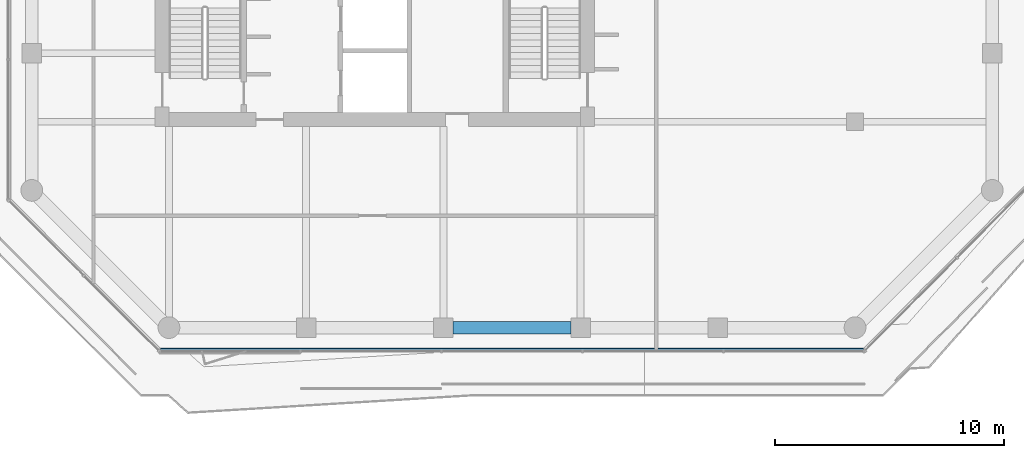
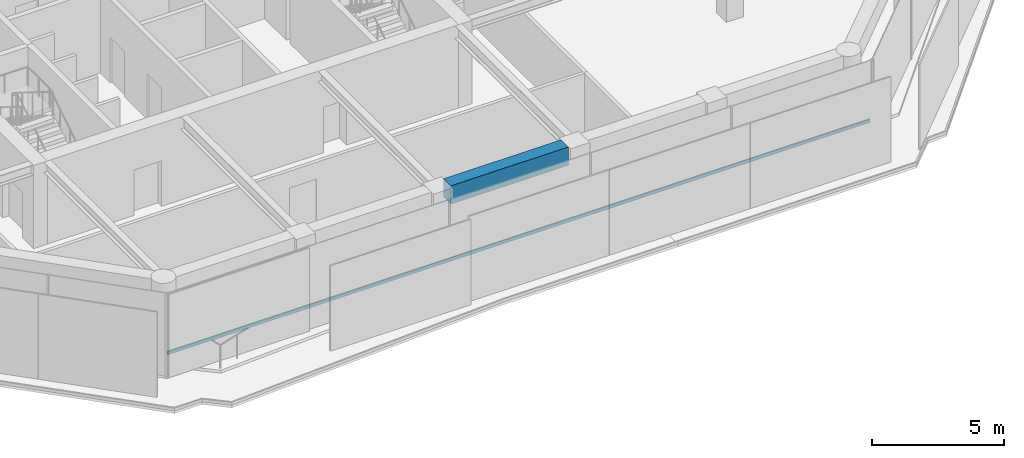
# One storey, part 3 of 21: 1 beam, 1 member, 1 element without a shape of its own.
"""IFC4 building model written with IfcOpenShell, lengths in metres."""

from ifc_helpers import new_model, si_unit, direction, frame, origin, origin_2d, place, context, subcontext, project, spatial, rectangle, extrude, material, layer, layer_set, material_profile, profile_set, type_object, element, aggregate, save


model = new_model("IFC4")

# Units and contexts
model_context = context("Model", 3, precision=1e-05, world=origin(), true_north=direction((0.0, 1.0)))
body_context = subcontext(model_context, "Body", "Model", "MODEL_VIEW")
ifc_project = project(units=[si_unit("LENGTHUNIT", "METRE"), si_unit("AREAUNIT", "SQUARE_METRE"), si_unit("VOLUMEUNIT", "CUBIC_METRE"), si_unit("PLANEANGLEUNIT", "RADIAN"), si_unit("MASSUNIT", "GRAM", prefix="KILO")], contexts=[model_context])

# Site, building, storey
site_placement = place(None, origin())
site = spatial("IfcSite", under=ifc_project, at=site_placement, CompositionType="ELEMENT")
building_placement = place(site_placement, origin())
building = spatial("IfcBuilding", under=site, at=building_placement, Name="Welwitschia Terrace Campus", CompositionType="ELEMENT")
storey_placement = place(building_placement, frame((0.0, 0.0, 184.39990234375)))
storey = spatial("IfcBuildingStorey", under=building, at=storey_placement, Name="L41", CompositionType="ELEMENT", Elevation=184.39990234375)

# Beam
ifc_material_1 = material(Name="Concrete C50/60", Category="concrete")
ifc_material_profile_1 = material_profile(ifc_material_1, rectangle(XDim=0.550048828125, YDim=0.85009765625, at=origin_2d()))
ifc_profile_set_1 = profile_set([ifc_material_profile_1], Name="Concrete C50/60")
beam_type = type_object("IfcBeamType", Name="Ring spandrel 550x850", PredefinedType="SPANDREL", material=ifc_profile_set_1)
beam_placement = place(storey_placement, frame((18.425537109375, -4.0, 3.425048828125), z_axis=(1.0, 0.0, 0.0), x_axis=(0.0, 1.0, 0.0)))
element("IfcBeam", 1, at=beam_placement, inside=storey, type_object=beam_type, Name="Spandrel SP3", PredefinedType="SPANDREL", context=body_context, shape_type="SweptSolid", body=[
    extrude(rectangle(XDim=0.550048828125, YDim=0.85009765625, at=origin_2d()), origin(), (0.0, 0.0, 1.0), 5.14892578125),
])

# Curtain wall, member
ifc_material_2 = material(Name="Bronze anodised aluminium", Category="aluminium")
ifc_layer = layer(ifc_material_2, 0.1201171875)
ifc_layer_set = layer_set([ifc_layer], Name="Bronze anodised aluminium")
curtain_wall_type = type_object("IfcCurtainWallType", Name="Curtain wall CW2 tower 6000", PredefinedType="NOTDEFINED", material=ifc_layer_set)
curtain_wall_placement = place(storey_placement, origin())
curtain_wall = element("IfcCurtainWall", 2, at=curtain_wall_placement, inside=storey, type_object=curtain_wall_type, Name="CW L41.1.0", PredefinedType="NOTDEFINED")
ifc_material_3 = material(Name="Bronze anodised aluminium", Category="aluminium")
ifc_material_profile_2 = material_profile(ifc_material_3, rectangle(XDim=0.06005859375, YDim=0.14990234375, at=origin_2d()))
ifc_profile_set_2 = profile_set([ifc_material_profile_2], Name="Bronze anodised aluminium")
member_type = type_object("IfcMemberType", Name="Transom 60x150", PredefinedType="USERDEFINED", material=ifc_profile_set_2)
member_placement = place(storey_placement, frame((5.63330078125, -4.93994140625, 1.0), z_axis=(1.0, 0.0, 0.0), x_axis=(0.0, 1.0, 0.0)))
member = element("IfcMember", 3, at=member_placement, type_object=member_type, Name="Transom L41.1.0", ObjectType="TRANSOM", PredefinedType="USERDEFINED", context=body_context, shape_type="SweptSolid", body=[
    extrude(rectangle(XDim=0.06005859375, YDim=0.14990234375, at=origin_2d()), origin(), (0.0, 0.0, 1.0), 30.7333984375),
])
aggregate(curtain_wall, [member])

save(model, "model.ifc")
